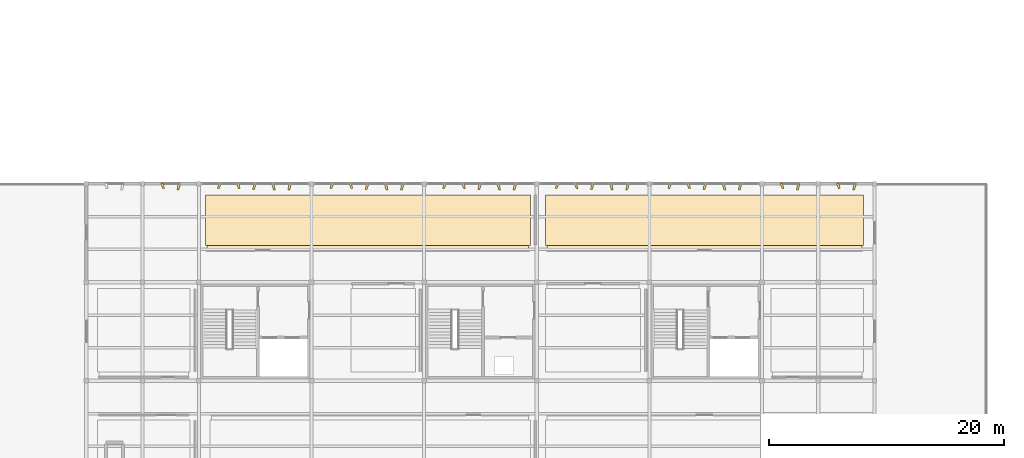
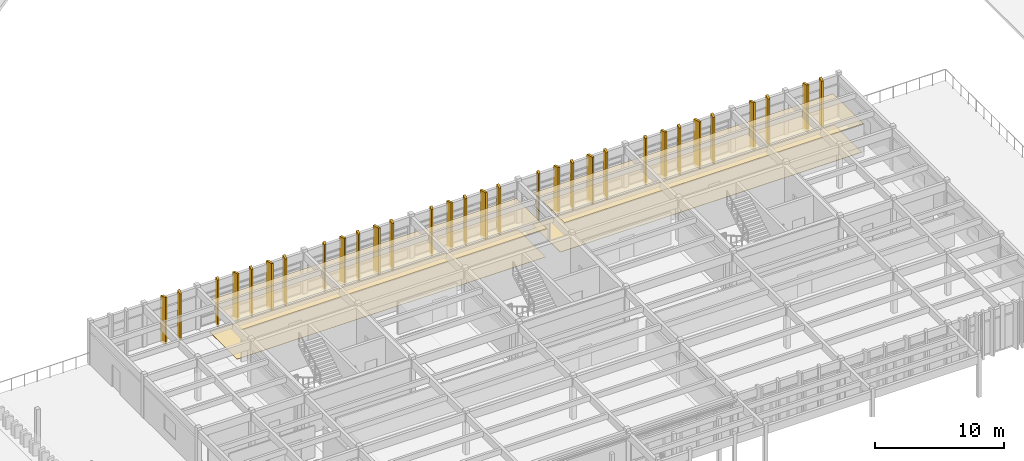
# One storey, part 40 of 42: 35 coverings.
"""IFC4 building model written with IfcOpenShell, lengths in metres."""

from ifc_helpers import new_model, si_unit, direction, frame, origin, place, context, subcontext, project, spatial, polyline, outline, extrude, material, layer, layer_set, type_object, element, save


model = new_model("IFC4")

# Units and contexts
model_context = context("Model", 3, precision=1e-05, world=origin(), true_north=direction((0.0, 1.0)))
body_context = subcontext(model_context, "Body", "Model", "MODEL_VIEW")
ifc_project = project(units=[si_unit("LENGTHUNIT", "METRE"), si_unit("AREAUNIT", "SQUARE_METRE"), si_unit("VOLUMEUNIT", "CUBIC_METRE"), si_unit("PLANEANGLEUNIT", "RADIAN"), si_unit("MASSUNIT", "GRAM", prefix="KILO")], contexts=[model_context])

# Site, building, storey
site_placement = place(None, origin())
site = spatial("IfcSite", under=ifc_project, at=site_placement, CompositionType="ELEMENT")
building_placement = place(site_placement, origin())
building = spatial("IfcBuilding", under=site, at=building_placement, Name="Kolvemor Railside Polytechnic", CompositionType="ELEMENT")
storey_placement = place(building_placement, frame((0.0, 0.0, 14.39990234375)))
storey = spatial("IfcBuildingStorey", under=building, at=storey_placement, Name="L03", CompositionType="ELEMENT", Elevation=14.39990234375)

# Coverings
ifc_material_1 = material(Name="Perforated acoustic mineral-fibre and timber-slat ceiling", Category="wood")
ifc_layer_1 = layer(ifc_material_1, 0.030029296875, Name="COV-CEIL-2")
ifc_layer_set_1 = layer_set([ifc_layer_1], Name="Perforated acoustic mineral-fibre and timber-slat ceiling")
covering_type_1 = type_object("IfcCoveringType", Name="COV-CEIL-2", PredefinedType="CEILING", material=ifc_layer_set_1)
covering_1_placement = place(storey_placement, frame((0.0, 0.0, 3.0)))
element("IfcCovering", 1, at=covering_1_placement, inside=storey, type_object=covering_type_1, Name="Digital Fabrication Design Studio Acoustic Ceiling", PredefinedType="CEILING", context=body_context, shape_type="SweptSolid", body=[
    extrude(outline(polyline([(67.8798828125, 32.719970703125), (95.320068359375, 32.719970703125), (95.320068359375, 37.449951171875), (67.8798828125, 37.449951171875), (67.8798828125, 32.719970703125)])), origin(), (0.0, 0.0, 1.0), 0.030029296875),
])
ifc_material_2 = material(Name="Perforated acoustic mineral-fibre and timber-slat ceiling", Category="wood")
ifc_layer_2 = layer(ifc_material_2, 0.034912109375, Name="COV-CEIL-3")
ifc_layer_set_2 = layer_set([ifc_layer_2], Name="Perforated acoustic mineral-fibre and timber-slat ceiling")
covering_type_2 = type_object("IfcCoveringType", Name="COV-CEIL-3", PredefinedType="CEILING", material=ifc_layer_set_2)
covering_2_placement = place(storey_placement, frame((0.0, 0.0, 2.9951171875)))
element("IfcCovering", 2, at=covering_2_placement, inside=storey, type_object=covering_type_2, Name="Seminar Room 303 Acoustic Ceiling", PredefinedType="CEILING", context=body_context, shape_type="SweptSolid", body=[
    extrude(outline(polyline([(96.8798828125, 32.719970703125), (123.719970703125, 32.719970703125), (123.719970703125, 37.449951171875), (96.8798828125, 37.449951171875), (96.8798828125, 32.719970703125)])), origin(), (0.0, 0.0, 1.0), 0.034912109375),
])
ifc_material_3 = material(Name="Sea-mist PVDF-anodised marine aluminium 5052-H32", Category="aluminium")
ifc_layer_3 = layer(ifc_material_3, 0.159912109375, Name="COV-FIN-MIST")
ifc_layer_set_3 = layer_set([ifc_layer_3], Name="Sea-mist PVDF-anodised marine aluminium 5052-H32")
covering_type_3 = type_object("IfcCoveringType", Name="COV-FIN-MIST", PredefinedType="CLADDING", material=ifc_layer_set_3)
covering_3_placement = place(storey_placement, frame((0.0, 0.0, -0.25)))
element("IfcCovering", 3, at=covering_3_placement, inside=storey, type_object=covering_type_3, Name="Pleated Solar Fin L03-0530", PredefinedType="CLADDING", context=body_context, shape_type="SweptSolid", body=[
    extrude(outline(polyline([(65.6650390625, 38.43505859375), (65.43505859375, 38.43505859375), (65.330078125, 37.847900390625), (65.489990234375, 37.847900390625), (65.6650390625, 38.43505859375)])), origin(), (0.0, 0.0, 1.0), 4.4501953125),
])
covering_4_placement = place(storey_placement, frame((0.0, 0.0, -0.25)))
element("IfcCovering", 4, at=covering_4_placement, inside=storey, type_object=covering_type_3, Name="Pleated Solar Fin L03-0531", PredefinedType="CLADDING", context=body_context, shape_type="SweptSolid", body=[
    extrude(outline(polyline([(64.1650390625, 38.43505859375), (63.93505859375, 38.43505859375), (64.110107421875, 37.98193359375), (64.27001953125, 37.98193359375), (64.1650390625, 38.43505859375)])), origin(), (0.0, 0.0, 1.0), 4.4501953125),
])
covering_5_placement = place(storey_placement, frame((0.0, 0.0, -0.25)))
element("IfcCovering", 5, at=covering_5_placement, inside=storey, type_object=covering_type_3, Name="Pleated Solar Fin L03-0532", PredefinedType="CLADDING", context=body_context, shape_type="SweptSolid", body=[
    extrude(outline(polyline([(75.114990234375, 38.43505859375), (74.885009765625, 38.43505859375), (74.780029296875, 37.841064453125), (74.93994140625, 37.841064453125), (75.114990234375, 38.43505859375)])), origin(), (0.0, 0.0, 1.0), 4.4501953125),
])
covering_6_placement = place(storey_placement, frame((0.0, 0.0, -0.25)))
element("IfcCovering", 6, at=covering_6_placement, inside=storey, type_object=covering_type_3, Name="Pleated Solar Fin L03-0533", PredefinedType="CLADDING", context=body_context, shape_type="SweptSolid", body=[
    extrude(outline(polyline([(73.614990234375, 38.43505859375), (73.385009765625, 38.43505859375), (73.56005859375, 37.847900390625), (73.719970703125, 37.847900390625), (73.614990234375, 38.43505859375)])), origin(), (0.0, 0.0, 1.0), 4.4501953125),
])
covering_7_placement = place(storey_placement, frame((0.0, 0.0, -0.25)))
element("IfcCovering", 7, at=covering_7_placement, inside=storey, type_object=covering_type_3, Name="Pleated Solar Fin L03-0534", PredefinedType="CLADDING", context=body_context, shape_type="SweptSolid", body=[
    extrude(outline(polyline([(72.114990234375, 38.43505859375), (71.885009765625, 38.43505859375), (71.780029296875, 37.9150390625), (71.93994140625, 37.9150390625), (72.114990234375, 38.43505859375)])), origin(), (0.0, 0.0, 1.0), 4.4501953125),
])
covering_8_placement = place(storey_placement, frame((0.0, 0.0, -0.25)))
element("IfcCovering", 8, at=covering_8_placement, inside=storey, type_object=covering_type_3, Name="Pleated Solar Fin L03-0535", PredefinedType="CLADDING", context=body_context, shape_type="SweptSolid", body=[
    extrude(outline(polyline([(70.614990234375, 38.43505859375), (70.385009765625, 38.43505859375), (70.56005859375, 37.98193359375), (70.719970703125, 37.98193359375), (70.614990234375, 38.43505859375)])), origin(), (0.0, 0.0, 1.0), 4.4501953125),
])
covering_9_placement = place(storey_placement, frame((0.0, 0.0, -0.25)))
element("IfcCovering", 9, at=covering_9_placement, inside=storey, type_object=covering_type_3, Name="Pleated Solar Fin L03-0536", PredefinedType="CLADDING", context=body_context, shape_type="SweptSolid", body=[
    extrude(outline(polyline([(69.114990234375, 38.43505859375), (68.885009765625, 38.43505859375), (68.780029296875, 37.989013671875), (68.93994140625, 37.989013671875), (69.114990234375, 38.43505859375)])), origin(), (0.0, 0.0, 1.0), 4.4501953125),
])
covering_10_placement = place(storey_placement, frame((0.0, 0.0, -0.25)))
element("IfcCovering", 10, at=covering_10_placement, inside=storey, type_object=covering_type_3, Name="Pleated Solar Fin L03-0537", PredefinedType="CLADDING", context=body_context, shape_type="SweptSolid", body=[
    extrude(outline(polyline([(84.715087890625, 38.43505859375), (84.485107421875, 38.43505859375), (84.3798828125, 37.841064453125), (84.5400390625, 37.841064453125), (84.715087890625, 38.43505859375)])), origin(), (0.0, 0.0, 1.0), 4.4501953125),
])
covering_11_placement = place(storey_placement, frame((0.0, 0.0, -0.25)))
element("IfcCovering", 11, at=covering_11_placement, inside=storey, type_object=covering_type_3, Name="Pleated Solar Fin L03-0538", PredefinedType="CLADDING", context=body_context, shape_type="SweptSolid", body=[
    extrude(outline(polyline([(83.215087890625, 38.43505859375), (82.985107421875, 38.43505859375), (83.159912109375, 37.847900390625), (83.320068359375, 37.847900390625), (83.215087890625, 38.43505859375)])), origin(), (0.0, 0.0, 1.0), 4.4501953125),
])
covering_12_placement = place(storey_placement, frame((0.0, 0.0, -0.25)))
element("IfcCovering", 12, at=covering_12_placement, inside=storey, type_object=covering_type_3, Name="Pleated Solar Fin L03-0539", PredefinedType="CLADDING", context=body_context, shape_type="SweptSolid", body=[
    extrude(outline(polyline([(81.715087890625, 38.43505859375), (81.485107421875, 38.43505859375), (81.3798828125, 37.9150390625), (81.5400390625, 37.9150390625), (81.715087890625, 38.43505859375)])), origin(), (0.0, 0.0, 1.0), 4.4501953125),
])
covering_13_placement = place(storey_placement, frame((0.0, 0.0, -0.25)))
element("IfcCovering", 13, at=covering_13_placement, inside=storey, type_object=covering_type_3, Name="Pleated Solar Fin L03-0540", PredefinedType="CLADDING", context=body_context, shape_type="SweptSolid", body=[
    extrude(outline(polyline([(80.215087890625, 38.43505859375), (79.985107421875, 38.43505859375), (80.159912109375, 37.98193359375), (80.320068359375, 37.98193359375), (80.215087890625, 38.43505859375)])), origin(), (0.0, 0.0, 1.0), 4.4501953125),
])
covering_14_placement = place(storey_placement, frame((0.0, 0.0, -0.25)))
element("IfcCovering", 14, at=covering_14_placement, inside=storey, type_object=covering_type_3, Name="Pleated Solar Fin L03-0541", PredefinedType="CLADDING", context=body_context, shape_type="SweptSolid", body=[
    extrude(outline(polyline([(78.715087890625, 38.43505859375), (78.485107421875, 38.43505859375), (78.3798828125, 37.989013671875), (78.5400390625, 37.989013671875), (78.715087890625, 38.43505859375)])), origin(), (0.0, 0.0, 1.0), 4.4501953125),
])
covering_15_placement = place(storey_placement, frame((0.0, 0.0, -0.25)))
element("IfcCovering", 15, at=covering_15_placement, inside=storey, type_object=covering_type_3, Name="Pleated Solar Fin L03-0542", PredefinedType="CLADDING", context=body_context, shape_type="SweptSolid", body=[
    extrude(outline(polyline([(94.31494140625, 38.43505859375), (94.0849609375, 38.43505859375), (93.97998046875, 37.841064453125), (94.139892578125, 37.841064453125), (94.31494140625, 38.43505859375)])), origin(), (0.0, 0.0, 1.0), 4.4501953125),
])
covering_16_placement = place(storey_placement, frame((0.0, 0.0, -0.25)))
element("IfcCovering", 16, at=covering_16_placement, inside=storey, type_object=covering_type_3, Name="Pleated Solar Fin L03-0543", PredefinedType="CLADDING", context=body_context, shape_type="SweptSolid", body=[
    extrude(outline(polyline([(92.81494140625, 38.43505859375), (92.5849609375, 38.43505859375), (92.760009765625, 37.847900390625), (92.919921875, 37.847900390625), (92.81494140625, 38.43505859375)])), origin(), (0.0, 0.0, 1.0), 4.4501953125),
])
covering_17_placement = place(storey_placement, frame((0.0, 0.0, -0.25)))
element("IfcCovering", 17, at=covering_17_placement, inside=storey, type_object=covering_type_3, Name="Pleated Solar Fin L03-0544", PredefinedType="CLADDING", context=body_context, shape_type="SweptSolid", body=[
    extrude(outline(polyline([(91.31494140625, 38.43505859375), (91.0849609375, 38.43505859375), (90.97998046875, 37.9150390625), (91.139892578125, 37.9150390625), (91.31494140625, 38.43505859375)])), origin(), (0.0, 0.0, 1.0), 4.4501953125),
])
covering_18_placement = place(storey_placement, frame((0.0, 0.0, -0.25)))
element("IfcCovering", 18, at=covering_18_placement, inside=storey, type_object=covering_type_3, Name="Pleated Solar Fin L03-0545", PredefinedType="CLADDING", context=body_context, shape_type="SweptSolid", body=[
    extrude(outline(polyline([(89.81494140625, 38.43505859375), (89.5849609375, 38.43505859375), (89.760009765625, 37.98193359375), (89.919921875, 37.98193359375), (89.81494140625, 38.43505859375)])), origin(), (0.0, 0.0, 1.0), 4.4501953125),
])
covering_19_placement = place(storey_placement, frame((0.0, 0.0, -0.25)))
element("IfcCovering", 19, at=covering_19_placement, inside=storey, type_object=covering_type_3, Name="Pleated Solar Fin L03-0546", PredefinedType="CLADDING", context=body_context, shape_type="SweptSolid", body=[
    extrude(outline(polyline([(88.31494140625, 38.43505859375), (88.0849609375, 38.43505859375), (87.97998046875, 37.989013671875), (88.139892578125, 37.989013671875), (88.31494140625, 38.43505859375)])), origin(), (0.0, 0.0, 1.0), 4.4501953125),
])
covering_20_placement = place(storey_placement, frame((0.0, 0.0, -0.25)))
element("IfcCovering", 20, at=covering_20_placement, inside=storey, type_object=covering_type_3, Name="Pleated Solar Fin L03-0547", PredefinedType="CLADDING", context=body_context, shape_type="SweptSolid", body=[
    extrude(outline(polyline([(103.9150390625, 38.43505859375), (103.68505859375, 38.43505859375), (103.580078125, 37.841064453125), (103.739990234375, 37.841064453125), (103.9150390625, 38.43505859375)])), origin(), (0.0, 0.0, 1.0), 4.4501953125),
])
covering_21_placement = place(storey_placement, frame((0.0, 0.0, -0.25)))
element("IfcCovering", 21, at=covering_21_placement, inside=storey, type_object=covering_type_3, Name="Pleated Solar Fin L03-0548", PredefinedType="CLADDING", context=body_context, shape_type="SweptSolid", body=[
    extrude(outline(polyline([(102.4150390625, 38.43505859375), (102.18505859375, 38.43505859375), (102.360107421875, 37.847900390625), (102.52001953125, 37.847900390625), (102.4150390625, 38.43505859375)])), origin(), (0.0, 0.0, 1.0), 4.4501953125),
])
covering_22_placement = place(storey_placement, frame((0.0, 0.0, -0.25)))
element("IfcCovering", 22, at=covering_22_placement, inside=storey, type_object=covering_type_3, Name="Pleated Solar Fin L03-0549", PredefinedType="CLADDING", context=body_context, shape_type="SweptSolid", body=[
    extrude(outline(polyline([(100.9150390625, 38.43505859375), (100.68505859375, 38.43505859375), (100.580078125, 37.9150390625), (100.739990234375, 37.9150390625), (100.9150390625, 38.43505859375)])), origin(), (0.0, 0.0, 1.0), 4.4501953125),
])
covering_23_placement = place(storey_placement, frame((0.0, 0.0, -0.25)))
element("IfcCovering", 23, at=covering_23_placement, inside=storey, type_object=covering_type_3, Name="Pleated Solar Fin L03-0550", PredefinedType="CLADDING", context=body_context, shape_type="SweptSolid", body=[
    extrude(outline(polyline([(99.4150390625, 38.43505859375), (99.18505859375, 38.43505859375), (99.360107421875, 37.98193359375), (99.52001953125, 37.98193359375), (99.4150390625, 38.43505859375)])), origin(), (0.0, 0.0, 1.0), 4.4501953125),
])
covering_24_placement = place(storey_placement, frame((0.0, 0.0, -0.25)))
element("IfcCovering", 24, at=covering_24_placement, inside=storey, type_object=covering_type_3, Name="Pleated Solar Fin L03-0551", PredefinedType="CLADDING", context=body_context, shape_type="SweptSolid", body=[
    extrude(outline(polyline([(97.9150390625, 38.43505859375), (97.68505859375, 38.43505859375), (97.580078125, 37.989013671875), (97.739990234375, 37.989013671875), (97.9150390625, 38.43505859375)])), origin(), (0.0, 0.0, 1.0), 4.4501953125),
])
covering_25_placement = place(storey_placement, frame((0.0, 0.0, -0.25)))
element("IfcCovering", 25, at=covering_25_placement, inside=storey, type_object=covering_type_3, Name="Pleated Solar Fin L03-0552", PredefinedType="CLADDING", context=body_context, shape_type="SweptSolid", body=[
    extrude(outline(polyline([(113.514892578125, 38.43505859375), (113.284912109375, 38.43505859375), (113.179931640625, 37.841064453125), (113.340087890625, 37.841064453125), (113.514892578125, 38.43505859375)])), origin(), (0.0, 0.0, 1.0), 4.4501953125),
])
covering_26_placement = place(storey_placement, frame((0.0, 0.0, -0.25)))
element("IfcCovering", 26, at=covering_26_placement, inside=storey, type_object=covering_type_3, Name="Pleated Solar Fin L03-0553", PredefinedType="CLADDING", context=body_context, shape_type="SweptSolid", body=[
    extrude(outline(polyline([(112.014892578125, 38.43505859375), (111.784912109375, 38.43505859375), (111.9599609375, 37.847900390625), (112.1201171875, 37.847900390625), (112.014892578125, 38.43505859375)])), origin(), (0.0, 0.0, 1.0), 4.4501953125),
])
covering_27_placement = place(storey_placement, frame((0.0, 0.0, -0.25)))
element("IfcCovering", 27, at=covering_27_placement, inside=storey, type_object=covering_type_3, Name="Pleated Solar Fin L03-0554", PredefinedType="CLADDING", context=body_context, shape_type="SweptSolid", body=[
    extrude(outline(polyline([(110.514892578125, 38.43505859375), (110.284912109375, 38.43505859375), (110.179931640625, 37.9150390625), (110.340087890625, 37.9150390625), (110.514892578125, 38.43505859375)])), origin(), (0.0, 0.0, 1.0), 4.4501953125),
])
covering_28_placement = place(storey_placement, frame((0.0, 0.0, -0.25)))
element("IfcCovering", 28, at=covering_28_placement, inside=storey, type_object=covering_type_3, Name="Pleated Solar Fin L03-0555", PredefinedType="CLADDING", context=body_context, shape_type="SweptSolid", body=[
    extrude(outline(polyline([(109.014892578125, 38.43505859375), (108.784912109375, 38.43505859375), (108.9599609375, 37.98193359375), (109.1201171875, 37.98193359375), (109.014892578125, 38.43505859375)])), origin(), (0.0, 0.0, 1.0), 4.4501953125),
])
covering_29_placement = place(storey_placement, frame((0.0, 0.0, -0.25)))
element("IfcCovering", 29, at=covering_29_placement, inside=storey, type_object=covering_type_3, Name="Pleated Solar Fin L03-0556", PredefinedType="CLADDING", context=body_context, shape_type="SweptSolid", body=[
    extrude(outline(polyline([(107.514892578125, 38.43505859375), (107.284912109375, 38.43505859375), (107.179931640625, 37.989013671875), (107.340087890625, 37.989013671875), (107.514892578125, 38.43505859375)])), origin(), (0.0, 0.0, 1.0), 4.4501953125),
])
covering_30_placement = place(storey_placement, frame((0.0, 0.0, -0.25)))
element("IfcCovering", 30, at=covering_30_placement, inside=storey, type_object=covering_type_3, Name="Pleated Solar Fin L03-0557", PredefinedType="CLADDING", context=body_context, shape_type="SweptSolid", body=[
    extrude(outline(polyline([(118.465087890625, 38.43505859375), (118.235107421875, 38.43505859375), (118.1298828125, 37.847900390625), (118.2900390625, 37.847900390625), (118.465087890625, 38.43505859375)])), origin(), (0.0, 0.0, 1.0), 4.4501953125),
])
covering_31_placement = place(storey_placement, frame((0.0, 0.0, -0.25)))
element("IfcCovering", 31, at=covering_31_placement, inside=storey, type_object=covering_type_3, Name="Pleated Solar Fin L03-0558", PredefinedType="CLADDING", context=body_context, shape_type="SweptSolid", body=[
    extrude(outline(polyline([(116.965087890625, 38.43505859375), (116.735107421875, 38.43505859375), (116.909912109375, 37.98193359375), (117.070068359375, 37.98193359375), (116.965087890625, 38.43505859375)])), origin(), (0.0, 0.0, 1.0), 4.4501953125),
])
covering_32_placement = place(storey_placement, frame((0.0, 0.0, -0.25)))
element("IfcCovering", 32, at=covering_32_placement, inside=storey, type_object=covering_type_3, Name="Pleated Solar Fin L03-0559", PredefinedType="CLADDING", context=body_context, shape_type="SweptSolid", body=[
    extrude(outline(polyline([(123.264892578125, 38.43505859375), (123.034912109375, 38.43505859375), (122.929931640625, 37.847900390625), (123.090087890625, 37.847900390625), (123.264892578125, 38.43505859375)])), origin(), (0.0, 0.0, 1.0), 4.4501953125),
])
covering_33_placement = place(storey_placement, frame((0.0, 0.0, -0.25)))
element("IfcCovering", 33, at=covering_33_placement, inside=storey, type_object=covering_type_3, Name="Pleated Solar Fin L03-0560", PredefinedType="CLADDING", context=body_context, shape_type="SweptSolid", body=[
    extrude(outline(polyline([(121.764892578125, 38.43505859375), (121.534912109375, 38.43505859375), (121.7099609375, 37.98193359375), (121.8701171875, 37.98193359375), (121.764892578125, 38.43505859375)])), origin(), (0.0, 0.0, 1.0), 4.4501953125),
])
ifc_material_4 = material(Name="Polished coral-aggregate terrazzo and laboratory epoxy flooring")
ifc_layer_4 = layer(ifc_material_4, 0.02490234375, Name="COV-FLR-2")
ifc_layer_set_4 = layer_set([ifc_layer_4], Name="Polished coral-aggregate terrazzo and laboratory epoxy flooring")
covering_type_4 = type_object("IfcCoveringType", Name="COV-FLR-2", PredefinedType="FLOORING", material=ifc_layer_set_4)
covering_34_placement = place(storey_placement, origin())
element("IfcCovering", 34, at=covering_34_placement, inside=storey, type_object=covering_type_4, Name="Digital Fabrication Design Studio Floor Finish", PredefinedType="FLOORING", context=body_context, shape_type="SweptSolid", body=[
    extrude(outline(polyline([(67.75, 33.14990234375), (95.449951171875, 33.14990234375), (95.449951171875, 37.449951171875), (67.75, 37.449951171875), (67.75, 33.14990234375)])), origin(), (0.0, 0.0, 1.0), 0.025146484375),
])
ifc_material_5 = material(Name="Polished coral-aggregate terrazzo and laboratory epoxy flooring")
ifc_layer_5 = layer(ifc_material_5, 0.030029296875, Name="COV-FLR-3")
ifc_layer_set_5 = layer_set([ifc_layer_5], Name="Polished coral-aggregate terrazzo and laboratory epoxy flooring")
covering_type_5 = type_object("IfcCoveringType", Name="COV-FLR-3", PredefinedType="FLOORING", material=ifc_layer_set_5)
covering_35_placement = place(storey_placement, origin())
element("IfcCovering", 35, at=covering_35_placement, inside=storey, type_object=covering_type_5, Name="Seminar Room 303 Floor Finish", PredefinedType="FLOORING", context=body_context, shape_type="SweptSolid", body=[
    extrude(outline(polyline([(96.75, 33.14990234375), (123.85009765625, 33.14990234375), (123.85009765625, 37.449951171875), (96.75, 37.449951171875), (96.75, 33.14990234375)])), origin(), (0.0, 0.0, 1.0), 0.030029296875),
])

save(model, "model.ifc")
